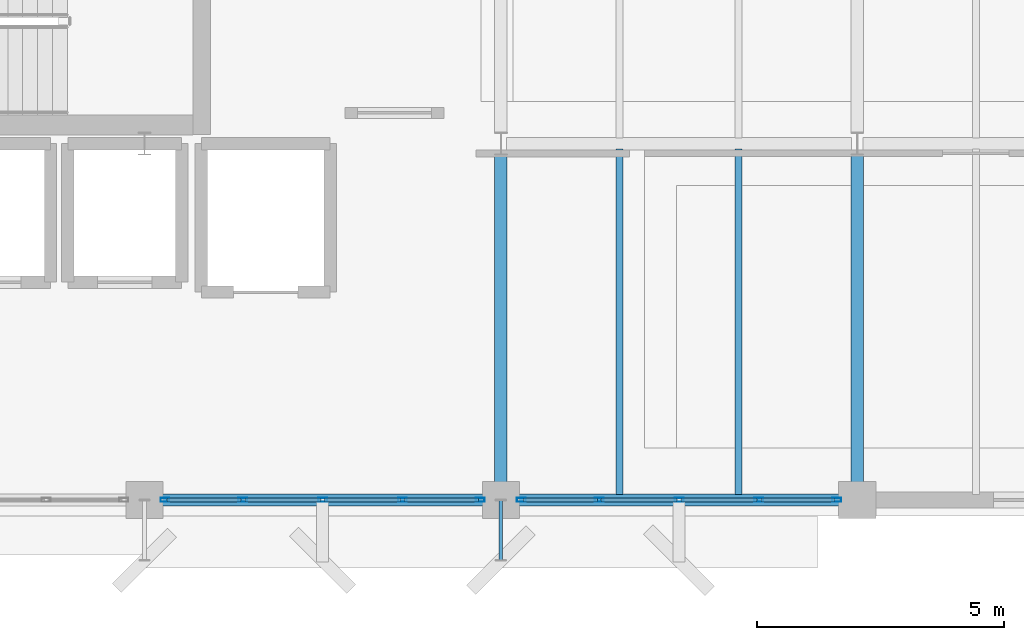
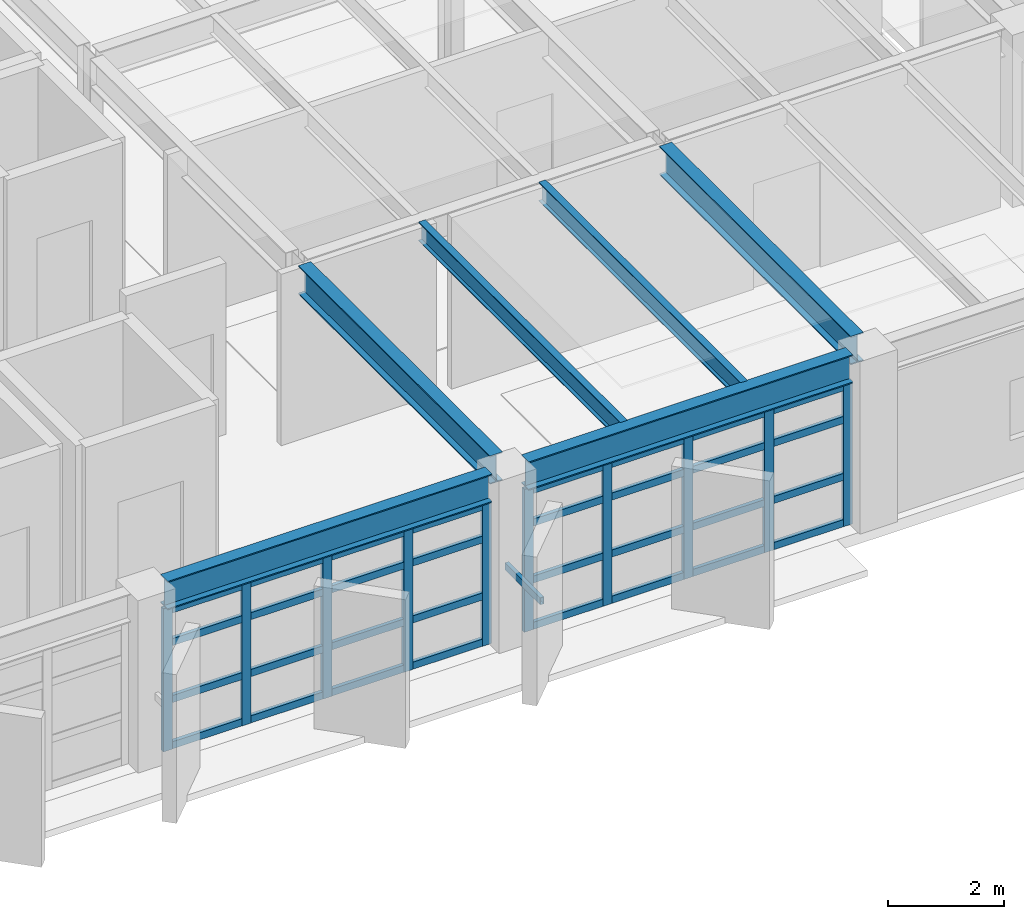
# One storey, part 7 of 48: 43 members, 6 beams, 2 elements without a shape of their own.
"""IFC4 building model written with IfcOpenShell, lengths in metres."""

from ifc_helpers import new_model, si_unit, direction, frame, origin, origin_2d, place, context, subcontext, project, spatial, hollow_rectangle, i_section, extrude, material, layer, layer_set, material_profile, profile_set, type_object, element, aggregate, save


model = new_model("IFC4")

# Units and contexts
model_context = context("Model", 3, precision=1e-05, world=origin(), true_north=direction((0.0, 1.0)))
body_context = subcontext(model_context, "Body", "Model", "MODEL_VIEW")
ifc_project = project(units=[si_unit("LENGTHUNIT", "METRE"), si_unit("AREAUNIT", "SQUARE_METRE"), si_unit("VOLUMEUNIT", "CUBIC_METRE"), si_unit("PLANEANGLEUNIT", "RADIAN"), si_unit("MASSUNIT", "GRAM", prefix="KILO")], contexts=[model_context])

# Site, building, storey
site_placement = place(None, origin())
site = spatial("IfcSite", under=ifc_project, at=site_placement, CompositionType="ELEMENT")
building_placement = place(site_placement, origin())
building = spatial("IfcBuilding", under=site, at=building_placement, Name="Kandorven Conservatory and Botanical Research Centre", CompositionType="ELEMENT")
storey_placement = place(building_placement, frame((0.0, 0.0, 13.199951171875)))
storey = spatial("IfcBuildingStorey", under=building, at=storey_placement, Name="L03", CompositionType="ELEMENT", Elevation=13.199951171875)

# Beams
ifc_material_1 = material(Name="Steel S355 (IS 2062 E350)", Category="steel")
ifc_material_profile_1 = material_profile(ifc_material_1, i_section(OverallWidth=0.25, OverallDepth=0.60009765625, WebThickness=0.01171875, FlangeThickness=0.023681640625, at=origin_2d()))
ifc_profile_set_1 = profile_set([ifc_material_profile_1], Name="Steel S355 (IS 2062 E350)")
beam_type_1 = type_object("IfcBeamType", Name="Beam_FG-01", PredefinedType="USERDEFINED", material=ifc_profile_set_1)
beam_1_placement = place(storey_placement, frame((20.764892578125, 6.0, 3.3349609375), z_axis=(1.0, 0.0, 0.0), x_axis=(0.0, 1.0, 0.0)))
element("IfcBeam", 1, at=beam_1_placement, inside=storey, type_object=beam_type_1, Name="Primary girder FG-01 TWR L03", ObjectType="GIRDER", PredefinedType="USERDEFINED", context=body_context, shape_type="SweptSolid", body=[
    extrude(i_section(OverallWidth=0.25, OverallDepth=0.60009765625, WebThickness=0.01171875, FlangeThickness=0.023681640625, at=origin_2d()), origin(), (0.0, 0.0, 1.0), 6.47021484375),
])
beam_2_placement = place(storey_placement, frame((27.965087890625, 6.0, 3.3349609375), z_axis=(1.0, 0.0, 0.0), x_axis=(0.0, 1.0, 0.0)))
element("IfcBeam", 2, at=beam_2_placement, inside=storey, type_object=beam_type_1, Name="Primary girder FG-01 TWR L03", ObjectType="GIRDER", PredefinedType="USERDEFINED", context=body_context, shape_type="SweptSolid", body=[
    extrude(i_section(OverallWidth=0.25, OverallDepth=0.60009765625, WebThickness=0.01171875, FlangeThickness=0.023681640625, at=origin_2d()), origin(), (0.0, 0.0, 1.0), 6.469970703125),
])
for number, where, z_axis, x_axis, name in (
    (3, (27.60009765625, 6.364990234375, 3.3349609375), (0.0, 1.0, 0.0), (-1.0, 0.0, 0.0), "Primary girder FG-01 TWR L03"),
    (4, (34.800048828125, 6.364990234375, 3.3349609375), (0.0, 1.0, 0.0), (-1.0, 0.0, 0.0), "Primary girder FG-01 TWR L03"),
):
    element("IfcBeam", number, at=place(storey_placement, frame(where, z_axis=z_axis, x_axis=x_axis)), inside=storey, type_object=beam_type_1, Name=name, ObjectType="GIRDER", PredefinedType="USERDEFINED", context=body_context, shape_type="SweptSolid", body=[
        extrude(i_section(OverallWidth=0.25, OverallDepth=0.60009765625, WebThickness=0.01171875, FlangeThickness=0.023681640625, at=origin_2d()), origin(), (0.0, 0.0, 1.0), 6.6201171875),
    ])
ifc_material_2 = material(Name="Steel S355 (IS 2062 E350)", Category="steel")
ifc_material_profile_2 = material_profile(ifc_material_2, i_section(OverallWidth=0.139892578125, OverallDepth=0.39990234375, WebThickness=0.0087890625, FlangeThickness=0.01611328125, at=origin_2d()))
ifc_profile_set_2 = profile_set([ifc_material_profile_2], Name="Steel S355 (IS 2062 E350)")
beam_type_2 = type_object("IfcBeamType", Name="Beam_SB-05", PredefinedType="BEAM", material=ifc_profile_set_2)
for number, where, z_axis, x_axis, name in (
    (5, (30.0, 6.110107421875, 3.43505859375), (0.0, 1.0, 0.0), (-1.0, 0.0, 0.0), "Composite secondary beam SB-05 TWR L03"),
    (6, (32.39990234375, 6.110107421875, 3.43505859375), (0.0, 1.0, 0.0), (-1.0, 0.0, 0.0), "Composite secondary beam SB-05 TWR L03"),
):
    element("IfcBeam", number, at=place(storey_placement, frame(where, z_axis=z_axis, x_axis=x_axis)), inside=storey, type_object=beam_type_2, Name=name, PredefinedType="BEAM", context=body_context, shape_type="SweptSolid", body=[
        extrude(i_section(OverallWidth=0.139892578125, OverallDepth=0.39990234375, WebThickness=0.0087890625, FlangeThickness=0.01611328125, at=origin_2d()), origin(), (0.0, 0.0, 1.0), 6.97998046875),
    ])

# Curtain wall, members
ifc_material_3 = material(Name="Bronze anodised thermally broken aluminium", Category="aluminium")
ifc_layer = layer(ifc_material_3, 0.179931640625)
ifc_layer_set = layer_set([ifc_layer], Name="Bronze anodised thermally broken aluminium")
curtain_wall_type = type_object("IfcCurtainWallType", Name="CW_Unitised", PredefinedType="USERDEFINED", material=ifc_layer_set)
curtain_wall_1_placement = place(storey_placement, origin())
curtain_wall_1 = element("IfcCurtainWall", 7, at=curtain_wall_1_placement, inside=storey, type_object=curtain_wall_type, Name="Tower laboratory curtain wall CW-TWR-S-L03-3", ObjectType="UNITISED GLAZING", PredefinedType="USERDEFINED")
ifc_material_4 = material(Name="Bronze anodised thermally broken aluminium", Category="aluminium")
ifc_material_profile_3 = material_profile(ifc_material_4, hollow_rectangle(XDim=0.080078125, YDim=0.179931640625, WallThickness=0.006103515625, at=origin_2d()))
ifc_profile_set_3 = profile_set([ifc_material_profile_3], Name="Bronze anodised thermally broken aluminium")
member_type_1 = type_object("IfcMemberType", Name="CW_Mullion", PredefinedType="MULLION", material=ifc_profile_set_3)
member_1_placement = place(storey_placement, frame((20.81494140625, 6.0, 0.0), z_axis=(0.0, 0.0, 1.0), x_axis=(0.0, 1.0, 0.0)))
member_1 = element("IfcMember", 8, at=member_1_placement, type_object=member_type_1, Name="CW-01 mullion 1", PredefinedType="MULLION", context=body_context, shape_type="SweptSolid", body=[
    extrude(hollow_rectangle(XDim=0.080078125, YDim=0.179931640625, WallThickness=0.006103515625, at=origin_2d()), origin(), (0.0, 0.0, 1.0), 3.01513671875),
])
member_2_placement = place(storey_placement, frame((22.387451171875, 6.0, 0.0), z_axis=(0.0, 0.0, 1.0), x_axis=(0.0, 1.0, 0.0)))
member_2 = element("IfcMember", 9, at=member_2_placement, type_object=member_type_1, Name="CW-01 mullion 2", PredefinedType="MULLION", context=body_context, shape_type="SweptSolid", body=[
    extrude(hollow_rectangle(XDim=0.080078125, YDim=0.179931640625, WallThickness=0.006103515625, at=origin_2d()), origin(), (0.0, 0.0, 1.0), 3.01513671875),
])
member_3_placement = place(storey_placement, frame((24.0, 6.0, 0.0), z_axis=(0.0, 0.0, 1.0), x_axis=(0.0, 1.0, 0.0)))
member_3 = element("IfcMember", 10, at=member_3_placement, type_object=member_type_1, Name="CW-01 mullion 3", PredefinedType="MULLION", context=body_context, shape_type="SweptSolid", body=[
    extrude(hollow_rectangle(XDim=0.080078125, YDim=0.179931640625, WallThickness=0.006103515625, at=origin_2d()), origin(), (0.0, 0.0, 1.0), 3.01513671875),
])
member_4_placement = place(storey_placement, frame((25.612548828125, 6.0, 0.0), z_axis=(0.0, 0.0, 1.0), x_axis=(0.0, 1.0, 0.0)))
member_4 = element("IfcMember", 11, at=member_4_placement, type_object=member_type_1, Name="CW-01 mullion 4", PredefinedType="MULLION", context=body_context, shape_type="SweptSolid", body=[
    extrude(hollow_rectangle(XDim=0.080078125, YDim=0.179931640625, WallThickness=0.006103515625, at=origin_2d()), origin(), (0.0, 0.0, 1.0), 3.01513671875),
])
member_5_placement = place(storey_placement, frame((27.18505859375, 6.0, 0.0), z_axis=(0.0, 0.0, 1.0), x_axis=(0.0, 1.0, 0.0)))
member_5 = element("IfcMember", 12, at=member_5_placement, type_object=member_type_1, Name="CW-01 mullion 5", PredefinedType="MULLION", context=body_context, shape_type="SweptSolid", body=[
    extrude(hollow_rectangle(XDim=0.080078125, YDim=0.179931640625, WallThickness=0.006103515625, at=origin_2d()), origin(), (0.0, 0.0, 1.0), 3.01513671875),
])

curtain_wall_2_placement = place(storey_placement, origin())
curtain_wall_2 = element("IfcCurtainWall", 13, at=curtain_wall_2_placement, inside=storey, type_object=curtain_wall_type, Name="Tower laboratory curtain wall CW-TWR-S-L03-4", ObjectType="UNITISED GLAZING", PredefinedType="USERDEFINED")
member_6_placement = place(storey_placement, frame((28.014892578125, 6.0, 0.0), z_axis=(0.0, 0.0, 1.0), x_axis=(0.0, 1.0, 0.0)))
member_6 = element("IfcMember", 14, at=member_6_placement, type_object=member_type_1, Name="CW-01 mullion 1", PredefinedType="MULLION", context=body_context, shape_type="SweptSolid", body=[
    extrude(hollow_rectangle(XDim=0.080078125, YDim=0.179931640625, WallThickness=0.006103515625, at=origin_2d()), origin(), (0.0, 0.0, 1.0), 3.01513671875),
])
member_7_placement = place(storey_placement, frame((29.58740234375, 6.0, 0.0), z_axis=(0.0, 0.0, 1.0), x_axis=(0.0, 1.0, 0.0)))
member_7 = element("IfcMember", 15, at=member_7_placement, type_object=member_type_1, Name="CW-01 mullion 2", PredefinedType="MULLION", context=body_context, shape_type="SweptSolid", body=[
    extrude(hollow_rectangle(XDim=0.080078125, YDim=0.179931640625, WallThickness=0.006103515625, at=origin_2d()), origin(), (0.0, 0.0, 1.0), 3.01513671875),
])
member_8_placement = place(storey_placement, frame((31.199951171875, 6.0, 0.0), z_axis=(0.0, 0.0, 1.0), x_axis=(0.0, 1.0, 0.0)))
member_8 = element("IfcMember", 16, at=member_8_placement, type_object=member_type_1, Name="CW-01 mullion 3", PredefinedType="MULLION", context=body_context, shape_type="SweptSolid", body=[
    extrude(hollow_rectangle(XDim=0.080078125, YDim=0.179931640625, WallThickness=0.006103515625, at=origin_2d()), origin(), (0.0, 0.0, 1.0), 3.01513671875),
])
member_9_placement = place(storey_placement, frame((32.8125, 6.0, 0.0), z_axis=(0.0, 0.0, 1.0), x_axis=(0.0, 1.0, 0.0)))
member_9 = element("IfcMember", 17, at=member_9_placement, type_object=member_type_1, Name="CW-01 mullion 4", PredefinedType="MULLION", context=body_context, shape_type="SweptSolid", body=[
    extrude(hollow_rectangle(XDim=0.080078125, YDim=0.179931640625, WallThickness=0.006103515625, at=origin_2d()), origin(), (0.0, 0.0, 1.0), 3.01513671875),
])
member_10_placement = place(storey_placement, frame((34.385009765625, 6.0, 0.0), z_axis=(0.0, 0.0, 1.0), x_axis=(0.0, 1.0, 0.0)))
member_10 = element("IfcMember", 18, at=member_10_placement, type_object=member_type_1, Name="CW-01 mullion 5", PredefinedType="MULLION", context=body_context, shape_type="SweptSolid", body=[
    extrude(hollow_rectangle(XDim=0.080078125, YDim=0.179931640625, WallThickness=0.006103515625, at=origin_2d()), origin(), (0.0, 0.0, 1.0), 3.01513671875),
])

# Member
ifc_material_5 = material(Name="Bronze anodised thermally broken aluminium", Category="aluminium")
ifc_material_profile_4 = material_profile(ifc_material_5, hollow_rectangle(XDim=0.074951171875, YDim=0.14990234375, WallThickness=0.006103515625, at=origin_2d()))
ifc_profile_set_4 = profile_set([ifc_material_profile_4], Name="Bronze anodised thermally broken aluminium")
member_type_2 = type_object("IfcMemberType", Name="CW_Transom", PredefinedType="USERDEFINED", material=ifc_profile_set_4)
member_11_placement = place(storey_placement, frame((20.85498046875, 6.0, 0.074951171875), z_axis=(1.0, 0.0, 0.0), x_axis=(0.0, 1.0, 0.0)))
member_11 = element("IfcMember", 19, at=member_11_placement, type_object=member_type_2, Name="CW-01 transom 1.1", ObjectType="TRANSOM", PredefinedType="USERDEFINED", context=body_context, shape_type="SweptSolid", body=[
    extrude(hollow_rectangle(XDim=0.074951171875, YDim=0.14990234375, WallThickness=0.006103515625, at=origin_2d()), origin(), (0.0, 0.0, 1.0), 1.492431640625),
])

member_12_placement = place(storey_placement, frame((20.85498046875, 6.0, 1.050048828125), z_axis=(1.0, 0.0, 0.0), x_axis=(0.0, 1.0, 0.0)))
member_12 = element("IfcMember", 20, at=member_12_placement, type_object=member_type_2, Name="CW-01 transom 1.2", ObjectType="TRANSOM", PredefinedType="USERDEFINED", context=body_context, shape_type="SweptSolid", body=[
    extrude(hollow_rectangle(XDim=0.074951171875, YDim=0.14990234375, WallThickness=0.006103515625, at=origin_2d()), origin(), (0.0, 0.0, 1.0), 1.492431640625),
])

member_13_placement = place(storey_placement, frame((20.85498046875, 6.0, 2.25), z_axis=(1.0, 0.0, 0.0), x_axis=(0.0, 1.0, 0.0)))
member_13 = element("IfcMember", 21, at=member_13_placement, type_object=member_type_2, Name="CW-01 transom 1.3", ObjectType="TRANSOM", PredefinedType="USERDEFINED", context=body_context, shape_type="SweptSolid", body=[
    extrude(hollow_rectangle(XDim=0.074951171875, YDim=0.14990234375, WallThickness=0.006103515625, at=origin_2d()), origin(), (0.0, 0.0, 1.0), 1.492431640625),
])

member_14_placement = place(storey_placement, frame((20.85498046875, 6.0, 2.93994140625), z_axis=(1.0, 0.0, 0.0), x_axis=(0.0, 1.0, 0.0)))
member_14 = element("IfcMember", 22, at=member_14_placement, type_object=member_type_2, Name="CW-01 transom 1.4", ObjectType="TRANSOM", PredefinedType="USERDEFINED", context=body_context, shape_type="SweptSolid", body=[
    extrude(hollow_rectangle(XDim=0.074951171875, YDim=0.14990234375, WallThickness=0.006103515625, at=origin_2d()), origin(), (0.0, 0.0, 1.0), 1.492431640625),
])

member_15_placement = place(storey_placement, frame((22.427490234375, 6.0, 0.074951171875), z_axis=(1.0, 0.0, 0.0), x_axis=(0.0, 1.0, 0.0)))
member_15 = element("IfcMember", 23, at=member_15_placement, type_object=member_type_2, Name="CW-01 transom 2.1", ObjectType="TRANSOM", PredefinedType="USERDEFINED", context=body_context, shape_type="SweptSolid", body=[
    extrude(hollow_rectangle(XDim=0.074951171875, YDim=0.14990234375, WallThickness=0.006103515625, at=origin_2d()), origin(), (0.0, 0.0, 1.0), 1.532470703125),
])

member_16_placement = place(storey_placement, frame((22.427490234375, 6.0, 1.050048828125), z_axis=(1.0, 0.0, 0.0), x_axis=(0.0, 1.0, 0.0)))
member_16 = element("IfcMember", 24, at=member_16_placement, type_object=member_type_2, Name="CW-01 transom 2.2", ObjectType="TRANSOM", PredefinedType="USERDEFINED", context=body_context, shape_type="SweptSolid", body=[
    extrude(hollow_rectangle(XDim=0.074951171875, YDim=0.14990234375, WallThickness=0.006103515625, at=origin_2d()), origin(), (0.0, 0.0, 1.0), 1.532470703125),
])

member_17_placement = place(storey_placement, frame((22.427490234375, 6.0, 2.25), z_axis=(1.0, 0.0, 0.0), x_axis=(0.0, 1.0, 0.0)))
member_17 = element("IfcMember", 25, at=member_17_placement, type_object=member_type_2, Name="CW-01 transom 2.3", ObjectType="TRANSOM", PredefinedType="USERDEFINED", context=body_context, shape_type="SweptSolid", body=[
    extrude(hollow_rectangle(XDim=0.074951171875, YDim=0.14990234375, WallThickness=0.006103515625, at=origin_2d()), origin(), (0.0, 0.0, 1.0), 1.532470703125),
])

member_18_placement = place(storey_placement, frame((22.427490234375, 6.0, 2.93994140625), z_axis=(1.0, 0.0, 0.0), x_axis=(0.0, 1.0, 0.0)))
member_18 = element("IfcMember", 26, at=member_18_placement, type_object=member_type_2, Name="CW-01 transom 2.4", ObjectType="TRANSOM", PredefinedType="USERDEFINED", context=body_context, shape_type="SweptSolid", body=[
    extrude(hollow_rectangle(XDim=0.074951171875, YDim=0.14990234375, WallThickness=0.006103515625, at=origin_2d()), origin(), (0.0, 0.0, 1.0), 1.532470703125),
])

member_19_placement = place(storey_placement, frame((24.0400390625, 6.0, 0.074951171875), z_axis=(1.0, 0.0, 0.0), x_axis=(0.0, 1.0, 0.0)))
member_19 = element("IfcMember", 27, at=member_19_placement, type_object=member_type_2, Name="CW-01 transom 3.1", ObjectType="TRANSOM", PredefinedType="USERDEFINED", context=body_context, shape_type="SweptSolid", body=[
    extrude(hollow_rectangle(XDim=0.074951171875, YDim=0.14990234375, WallThickness=0.006103515625, at=origin_2d()), origin(), (0.0, 0.0, 1.0), 1.532470703125),
])

member_20_placement = place(storey_placement, frame((24.0400390625, 6.0, 1.050048828125), z_axis=(1.0, 0.0, 0.0), x_axis=(0.0, 1.0, 0.0)))
member_20 = element("IfcMember", 28, at=member_20_placement, type_object=member_type_2, Name="CW-01 transom 3.2", ObjectType="TRANSOM", PredefinedType="USERDEFINED", context=body_context, shape_type="SweptSolid", body=[
    extrude(hollow_rectangle(XDim=0.074951171875, YDim=0.14990234375, WallThickness=0.006103515625, at=origin_2d()), origin(), (0.0, 0.0, 1.0), 1.532470703125),
])

member_21_placement = place(storey_placement, frame((24.0400390625, 6.0, 2.25), z_axis=(1.0, 0.0, 0.0), x_axis=(0.0, 1.0, 0.0)))
member_21 = element("IfcMember", 29, at=member_21_placement, type_object=member_type_2, Name="CW-01 transom 3.3", ObjectType="TRANSOM", PredefinedType="USERDEFINED", context=body_context, shape_type="SweptSolid", body=[
    extrude(hollow_rectangle(XDim=0.074951171875, YDim=0.14990234375, WallThickness=0.006103515625, at=origin_2d()), origin(), (0.0, 0.0, 1.0), 1.532470703125),
])

member_22_placement = place(storey_placement, frame((24.0400390625, 6.0, 2.93994140625), z_axis=(1.0, 0.0, 0.0), x_axis=(0.0, 1.0, 0.0)))
member_22 = element("IfcMember", 30, at=member_22_placement, type_object=member_type_2, Name="CW-01 transom 3.4", ObjectType="TRANSOM", PredefinedType="USERDEFINED", context=body_context, shape_type="SweptSolid", body=[
    extrude(hollow_rectangle(XDim=0.074951171875, YDim=0.14990234375, WallThickness=0.006103515625, at=origin_2d()), origin(), (0.0, 0.0, 1.0), 1.532470703125),
])

member_23_placement = place(storey_placement, frame((25.652587890625, 6.0, 0.074951171875), z_axis=(1.0, 0.0, 0.0), x_axis=(0.0, 1.0, 0.0)))
member_23 = element("IfcMember", 31, at=member_23_placement, type_object=member_type_2, Name="CW-01 transom 4.1", ObjectType="TRANSOM", PredefinedType="USERDEFINED", context=body_context, shape_type="SweptSolid", body=[
    extrude(hollow_rectangle(XDim=0.074951171875, YDim=0.14990234375, WallThickness=0.006103515625, at=origin_2d()), origin(), (0.0, 0.0, 1.0), 1.492431640625),
])

member_24_placement = place(storey_placement, frame((25.652587890625, 6.0, 1.050048828125), z_axis=(1.0, 0.0, 0.0), x_axis=(0.0, 1.0, 0.0)))
member_24 = element("IfcMember", 32, at=member_24_placement, type_object=member_type_2, Name="CW-01 transom 4.2", ObjectType="TRANSOM", PredefinedType="USERDEFINED", context=body_context, shape_type="SweptSolid", body=[
    extrude(hollow_rectangle(XDim=0.074951171875, YDim=0.14990234375, WallThickness=0.006103515625, at=origin_2d()), origin(), (0.0, 0.0, 1.0), 1.492431640625),
])

member_25_placement = place(storey_placement, frame((25.652587890625, 6.0, 2.25), z_axis=(1.0, 0.0, 0.0), x_axis=(0.0, 1.0, 0.0)))
member_25 = element("IfcMember", 33, at=member_25_placement, type_object=member_type_2, Name="CW-01 transom 4.3", ObjectType="TRANSOM", PredefinedType="USERDEFINED", context=body_context, shape_type="SweptSolid", body=[
    extrude(hollow_rectangle(XDim=0.074951171875, YDim=0.14990234375, WallThickness=0.006103515625, at=origin_2d()), origin(), (0.0, 0.0, 1.0), 1.492431640625),
])

member_26_placement = place(storey_placement, frame((25.652587890625, 6.0, 2.93994140625), z_axis=(1.0, 0.0, 0.0), x_axis=(0.0, 1.0, 0.0)))
member_26 = element("IfcMember", 34, at=member_26_placement, type_object=member_type_2, Name="CW-01 transom 4.4", ObjectType="TRANSOM", PredefinedType="USERDEFINED", context=body_context, shape_type="SweptSolid", body=[
    extrude(hollow_rectangle(XDim=0.074951171875, YDim=0.14990234375, WallThickness=0.006103515625, at=origin_2d()), origin(), (0.0, 0.0, 1.0), 1.492431640625),
])

aggregate(curtain_wall_1, [member_1, member_2, member_3, member_4, member_5, member_11, member_12, member_13, member_14, member_15, member_16, member_17, member_18, member_19, member_20, member_21, member_22, member_23, member_24, member_25, member_26])

member_27_placement = place(storey_placement, frame((28.054931640625, 6.0, 0.074951171875), z_axis=(1.0, 0.0, 0.0), x_axis=(0.0, 1.0, 0.0)))
member_27 = element("IfcMember", 35, at=member_27_placement, type_object=member_type_2, Name="CW-01 transom 1.1", ObjectType="TRANSOM", PredefinedType="USERDEFINED", context=body_context, shape_type="SweptSolid", body=[
    extrude(hollow_rectangle(XDim=0.074951171875, YDim=0.14990234375, WallThickness=0.006103515625, at=origin_2d()), origin(), (0.0, 0.0, 1.0), 1.49267578125),
])

member_28_placement = place(storey_placement, frame((28.054931640625, 6.0, 1.050048828125), z_axis=(1.0, 0.0, 0.0), x_axis=(0.0, 1.0, 0.0)))
member_28 = element("IfcMember", 36, at=member_28_placement, type_object=member_type_2, Name="CW-01 transom 1.2", ObjectType="TRANSOM", PredefinedType="USERDEFINED", context=body_context, shape_type="SweptSolid", body=[
    extrude(hollow_rectangle(XDim=0.074951171875, YDim=0.14990234375, WallThickness=0.006103515625, at=origin_2d()), origin(), (0.0, 0.0, 1.0), 1.49267578125),
])

member_29_placement = place(storey_placement, frame((28.054931640625, 6.0, 2.25), z_axis=(1.0, 0.0, 0.0), x_axis=(0.0, 1.0, 0.0)))
member_29 = element("IfcMember", 37, at=member_29_placement, type_object=member_type_2, Name="CW-01 transom 1.3", ObjectType="TRANSOM", PredefinedType="USERDEFINED", context=body_context, shape_type="SweptSolid", body=[
    extrude(hollow_rectangle(XDim=0.074951171875, YDim=0.14990234375, WallThickness=0.006103515625, at=origin_2d()), origin(), (0.0, 0.0, 1.0), 1.49267578125),
])

member_30_placement = place(storey_placement, frame((28.054931640625, 6.0, 2.93994140625), z_axis=(1.0, 0.0, 0.0), x_axis=(0.0, 1.0, 0.0)))
member_30 = element("IfcMember", 38, at=member_30_placement, type_object=member_type_2, Name="CW-01 transom 1.4", ObjectType="TRANSOM", PredefinedType="USERDEFINED", context=body_context, shape_type="SweptSolid", body=[
    extrude(hollow_rectangle(XDim=0.074951171875, YDim=0.14990234375, WallThickness=0.006103515625, at=origin_2d()), origin(), (0.0, 0.0, 1.0), 1.49267578125),
])

member_31_placement = place(storey_placement, frame((29.62744140625, 6.0, 0.074951171875), z_axis=(1.0, 0.0, 0.0), x_axis=(0.0, 1.0, 0.0)))
member_31 = element("IfcMember", 39, at=member_31_placement, type_object=member_type_2, Name="CW-01 transom 2.1", ObjectType="TRANSOM", PredefinedType="USERDEFINED", context=body_context, shape_type="SweptSolid", body=[
    extrude(hollow_rectangle(XDim=0.074951171875, YDim=0.14990234375, WallThickness=0.006103515625, at=origin_2d()), origin(), (0.0, 0.0, 1.0), 1.532470703125),
])

member_32_placement = place(storey_placement, frame((29.62744140625, 6.0, 1.050048828125), z_axis=(1.0, 0.0, 0.0), x_axis=(0.0, 1.0, 0.0)))
member_32 = element("IfcMember", 40, at=member_32_placement, type_object=member_type_2, Name="CW-01 transom 2.2", ObjectType="TRANSOM", PredefinedType="USERDEFINED", context=body_context, shape_type="SweptSolid", body=[
    extrude(hollow_rectangle(XDim=0.074951171875, YDim=0.14990234375, WallThickness=0.006103515625, at=origin_2d()), origin(), (0.0, 0.0, 1.0), 1.532470703125),
])

member_33_placement = place(storey_placement, frame((29.62744140625, 6.0, 2.25), z_axis=(1.0, 0.0, 0.0), x_axis=(0.0, 1.0, 0.0)))
member_33 = element("IfcMember", 41, at=member_33_placement, type_object=member_type_2, Name="CW-01 transom 2.3", ObjectType="TRANSOM", PredefinedType="USERDEFINED", context=body_context, shape_type="SweptSolid", body=[
    extrude(hollow_rectangle(XDim=0.074951171875, YDim=0.14990234375, WallThickness=0.006103515625, at=origin_2d()), origin(), (0.0, 0.0, 1.0), 1.532470703125),
])

member_34_placement = place(storey_placement, frame((29.62744140625, 6.0, 2.93994140625), z_axis=(1.0, 0.0, 0.0), x_axis=(0.0, 1.0, 0.0)))
member_34 = element("IfcMember", 42, at=member_34_placement, type_object=member_type_2, Name="CW-01 transom 2.4", ObjectType="TRANSOM", PredefinedType="USERDEFINED", context=body_context, shape_type="SweptSolid", body=[
    extrude(hollow_rectangle(XDim=0.074951171875, YDim=0.14990234375, WallThickness=0.006103515625, at=origin_2d()), origin(), (0.0, 0.0, 1.0), 1.532470703125),
])

member_35_placement = place(storey_placement, frame((31.239990234375, 6.0, 0.074951171875), z_axis=(1.0, 0.0, 0.0), x_axis=(0.0, 1.0, 0.0)))
member_35 = element("IfcMember", 43, at=member_35_placement, type_object=member_type_2, Name="CW-01 transom 3.1", ObjectType="TRANSOM", PredefinedType="USERDEFINED", context=body_context, shape_type="SweptSolid", body=[
    extrude(hollow_rectangle(XDim=0.074951171875, YDim=0.14990234375, WallThickness=0.006103515625, at=origin_2d()), origin(), (0.0, 0.0, 1.0), 1.532470703125),
])

member_36_placement = place(storey_placement, frame((31.239990234375, 6.0, 1.050048828125), z_axis=(1.0, 0.0, 0.0), x_axis=(0.0, 1.0, 0.0)))
member_36 = element("IfcMember", 44, at=member_36_placement, type_object=member_type_2, Name="CW-01 transom 3.2", ObjectType="TRANSOM", PredefinedType="USERDEFINED", context=body_context, shape_type="SweptSolid", body=[
    extrude(hollow_rectangle(XDim=0.074951171875, YDim=0.14990234375, WallThickness=0.006103515625, at=origin_2d()), origin(), (0.0, 0.0, 1.0), 1.532470703125),
])

member_37_placement = place(storey_placement, frame((31.239990234375, 6.0, 2.25), z_axis=(1.0, 0.0, 0.0), x_axis=(0.0, 1.0, 0.0)))
member_37 = element("IfcMember", 45, at=member_37_placement, type_object=member_type_2, Name="CW-01 transom 3.3", ObjectType="TRANSOM", PredefinedType="USERDEFINED", context=body_context, shape_type="SweptSolid", body=[
    extrude(hollow_rectangle(XDim=0.074951171875, YDim=0.14990234375, WallThickness=0.006103515625, at=origin_2d()), origin(), (0.0, 0.0, 1.0), 1.532470703125),
])

member_38_placement = place(storey_placement, frame((31.239990234375, 6.0, 2.93994140625), z_axis=(1.0, 0.0, 0.0), x_axis=(0.0, 1.0, 0.0)))
member_38 = element("IfcMember", 46, at=member_38_placement, type_object=member_type_2, Name="CW-01 transom 3.4", ObjectType="TRANSOM", PredefinedType="USERDEFINED", context=body_context, shape_type="SweptSolid", body=[
    extrude(hollow_rectangle(XDim=0.074951171875, YDim=0.14990234375, WallThickness=0.006103515625, at=origin_2d()), origin(), (0.0, 0.0, 1.0), 1.532470703125),
])

member_39_placement = place(storey_placement, frame((32.8525390625, 6.0, 0.074951171875), z_axis=(1.0, 0.0, 0.0), x_axis=(0.0, 1.0, 0.0)))
member_39 = element("IfcMember", 47, at=member_39_placement, type_object=member_type_2, Name="CW-01 transom 4.1", ObjectType="TRANSOM", PredefinedType="USERDEFINED", context=body_context, shape_type="SweptSolid", body=[
    extrude(hollow_rectangle(XDim=0.074951171875, YDim=0.14990234375, WallThickness=0.006103515625, at=origin_2d()), origin(), (0.0, 0.0, 1.0), 1.492431640625),
])

member_40_placement = place(storey_placement, frame((32.8525390625, 6.0, 1.050048828125), z_axis=(1.0, 0.0, 0.0), x_axis=(0.0, 1.0, 0.0)))
member_40 = element("IfcMember", 48, at=member_40_placement, type_object=member_type_2, Name="CW-01 transom 4.2", ObjectType="TRANSOM", PredefinedType="USERDEFINED", context=body_context, shape_type="SweptSolid", body=[
    extrude(hollow_rectangle(XDim=0.074951171875, YDim=0.14990234375, WallThickness=0.006103515625, at=origin_2d()), origin(), (0.0, 0.0, 1.0), 1.492431640625),
])

member_41_placement = place(storey_placement, frame((32.8525390625, 6.0, 2.25), z_axis=(1.0, 0.0, 0.0), x_axis=(0.0, 1.0, 0.0)))
member_41 = element("IfcMember", 49, at=member_41_placement, type_object=member_type_2, Name="CW-01 transom 4.3", ObjectType="TRANSOM", PredefinedType="USERDEFINED", context=body_context, shape_type="SweptSolid", body=[
    extrude(hollow_rectangle(XDim=0.074951171875, YDim=0.14990234375, WallThickness=0.006103515625, at=origin_2d()), origin(), (0.0, 0.0, 1.0), 1.492431640625),
])

member_42_placement = place(storey_placement, frame((32.8525390625, 6.0, 2.93994140625), z_axis=(1.0, 0.0, 0.0), x_axis=(0.0, 1.0, 0.0)))
member_42 = element("IfcMember", 50, at=member_42_placement, type_object=member_type_2, Name="CW-01 transom 4.4", ObjectType="TRANSOM", PredefinedType="USERDEFINED", context=body_context, shape_type="SweptSolid", body=[
    extrude(hollow_rectangle(XDim=0.074951171875, YDim=0.14990234375, WallThickness=0.006103515625, at=origin_2d()), origin(), (0.0, 0.0, 1.0), 1.492431640625),
])

aggregate(curtain_wall_2, [member_6, member_7, member_8, member_9, member_10, member_27, member_28, member_29, member_30, member_31, member_32, member_33, member_34, member_35, member_36, member_37, member_38, member_39, member_40, member_41, member_42])

ifc_material_6 = material(Name="Steel S355 (IS 2062 E350)", Category="steel")
ifc_material_profile_5 = material_profile(ifc_material_6, hollow_rectangle(XDim=0.074951171875, YDim=0.14990234375, WallThickness=0.006103515625, at=origin_2d()))
ifc_profile_set_5 = profile_set([ifc_material_profile_5], Name="Steel S355 (IS 2062 E350)")
member_type_3 = type_object("IfcMemberType", Name="Mem_SF-01", PredefinedType="STRUT", material=ifc_profile_set_5)
member_43_placement = place(storey_placement, frame((27.60009765625, 6.0, 1.5), z_axis=(0.0, -1.0, 0.0), x_axis=(1.0, 0.0, 0.0)))
element("IfcMember", 51, at=member_43_placement, inside=storey, type_object=member_type_3, Name="Solar fin steel outrigger strut SF-01 #25", PredefinedType="STRUT", context=body_context, shape_type="SweptSolid", body=[
    extrude(hollow_rectangle(XDim=0.074951171875, YDim=0.14990234375, WallThickness=0.006103515625, at=origin_2d()), origin(), (0.0, 0.0, 1.0), 1.219970703125),
])

save(model, "model.ifc")
